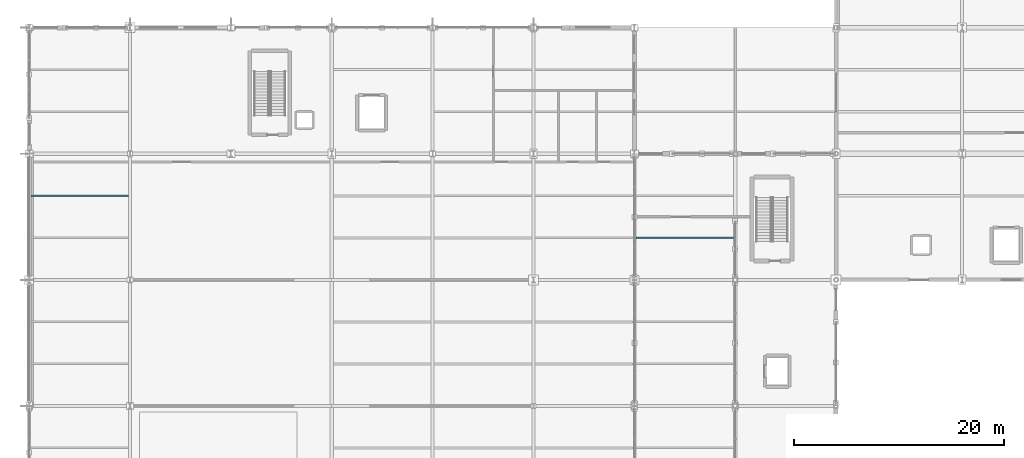
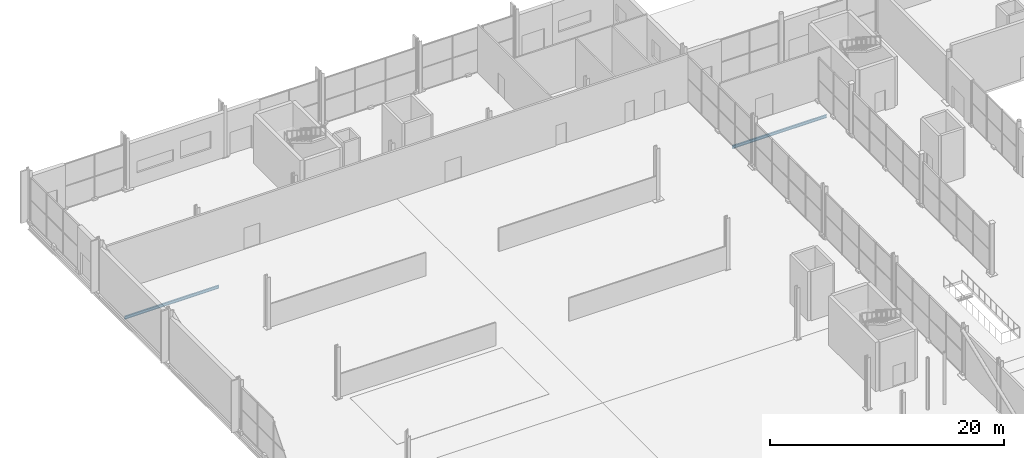
# One storey, part 101 of 196: 2 beams.
"""IFC4 building model written with IfcOpenShell, lengths in metres."""

from ifc_helpers import new_model, si_unit, direction, frame, origin, origin_2d, place, context, subcontext, project, spatial, i_section, extrude, material, material_profile, profile_set, type_object, element, save


model = new_model("IFC4")

# Units and contexts
model_context = context("Model", 3, precision=1e-05, world=origin(), true_north=direction((0.0, 1.0)))
body_context = subcontext(model_context, "Body", "Model", "MODEL_VIEW")
ifc_project = project(units=[si_unit("LENGTHUNIT", "METRE"), si_unit("AREAUNIT", "SQUARE_METRE"), si_unit("VOLUMEUNIT", "CUBIC_METRE"), si_unit("PLANEANGLEUNIT", "RADIAN"), si_unit("MASSUNIT", "GRAM", prefix="KILO")], contexts=[model_context])

# Site, building, storey
site_placement = place(None, origin())
site = spatial("IfcSite", under=ifc_project, at=site_placement, CompositionType="ELEMENT")
building_placement = place(site_placement, origin())
building = spatial("IfcBuilding", under=site, at=building_placement, Name="Merenkruunu Market Hall", CompositionType="ELEMENT")
storey_placement = place(building_placement, origin())
storey = spatial("IfcBuildingStorey", under=building, at=storey_placement, Name="L00", CompositionType="ELEMENT", Elevation=0.0)

# Beams
ifc_material = material(Name="Steel S355J2", Category="steel")
ifc_material_profile = material_profile(ifc_material, i_section(OverallWidth=0.14990234375, OverallDepth=0.300048828125, WebThickness=0.007080078125, FlangeThickness=0.0107421875, FilletRadius=0.014892578125, at=origin_2d()), Name="IPE 300")
ifc_profile_set = profile_set([ifc_material_profile], Name="Steel S355J2")
beam_type = type_object("IfcBeamType", Name="Secondary Floor Joist J04", PredefinedType="JOIST", material=ifc_profile_set)
beam_1_placement = place(storey_placement, frame((0.153076171875, 95.60009765625, -0.489990234375), z_axis=(1.0, 0.0, 0.0), x_axis=(0.0, 1.0, 0.0)))
element("IfcBeam", 1, at=beam_1_placement, inside=storey, type_object=beam_type, Name="BM-L00-J04-0287", PredefinedType="JOIST", context=body_context, shape_type="SweptSolid", body=[
    extrude(i_section(OverallWidth=0.14990234375, OverallDepth=0.300048828125, WebThickness=0.007080078125, FlangeThickness=0.0107421875, FilletRadius=0.014892578125, at=origin_2d()), origin(), (0.0, 0.0, 1.0), 9.2939453125),
])
beam_2_placement = place(storey_placement, frame((57.7529296875, 91.60009765625, -0.449951171875), z_axis=(1.0, 0.0, 0.0), x_axis=(0.0, 1.0, 0.0)))
element("IfcBeam", 2, at=beam_2_placement, inside=storey, type_object=beam_type, Name="BM-L00-J04-0356", PredefinedType="JOIST", context=body_context, shape_type="SweptSolid", body=[
    extrude(i_section(OverallWidth=0.14990234375, OverallDepth=0.300048828125, WebThickness=0.007080078125, FlangeThickness=0.0107421875, FilletRadius=0.014892578125, at=origin_2d()), origin(), (0.0, 0.0, 1.0), 9.294189453125),
])

save(model, "model.ifc")
